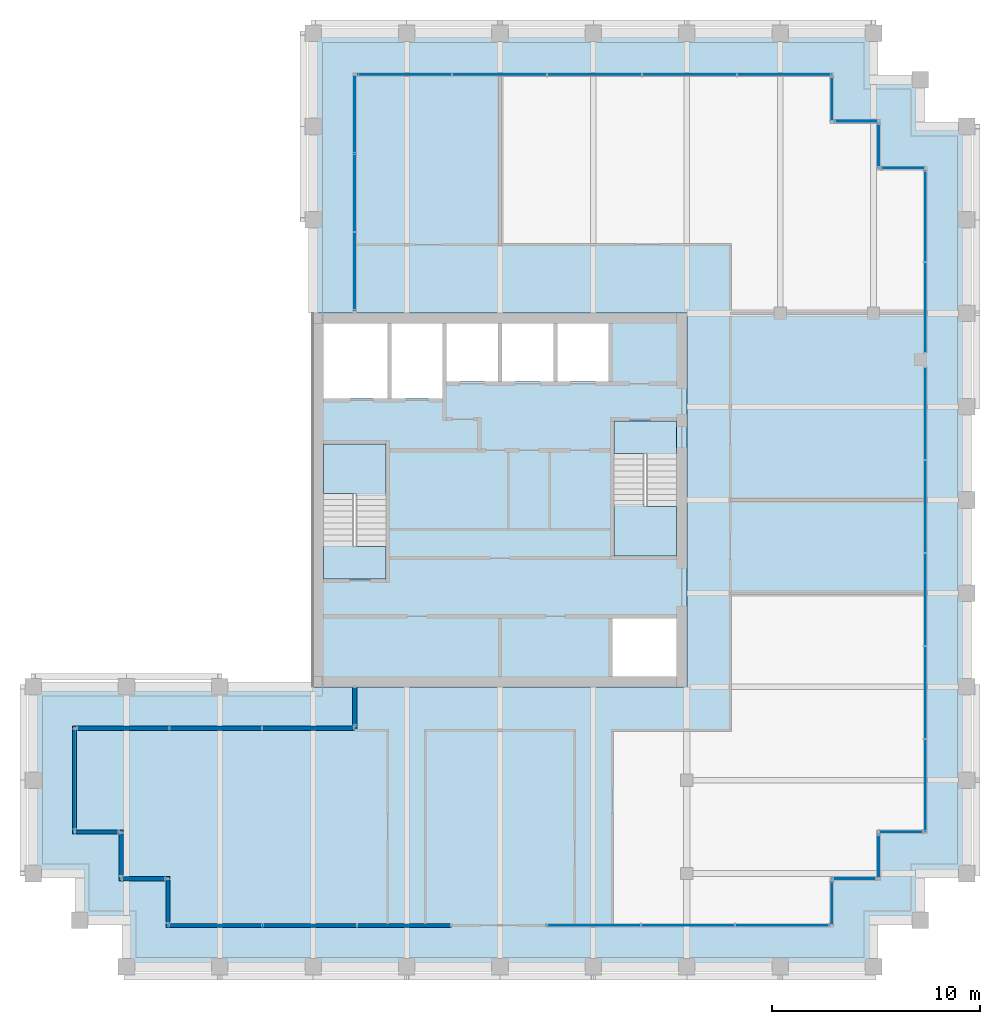
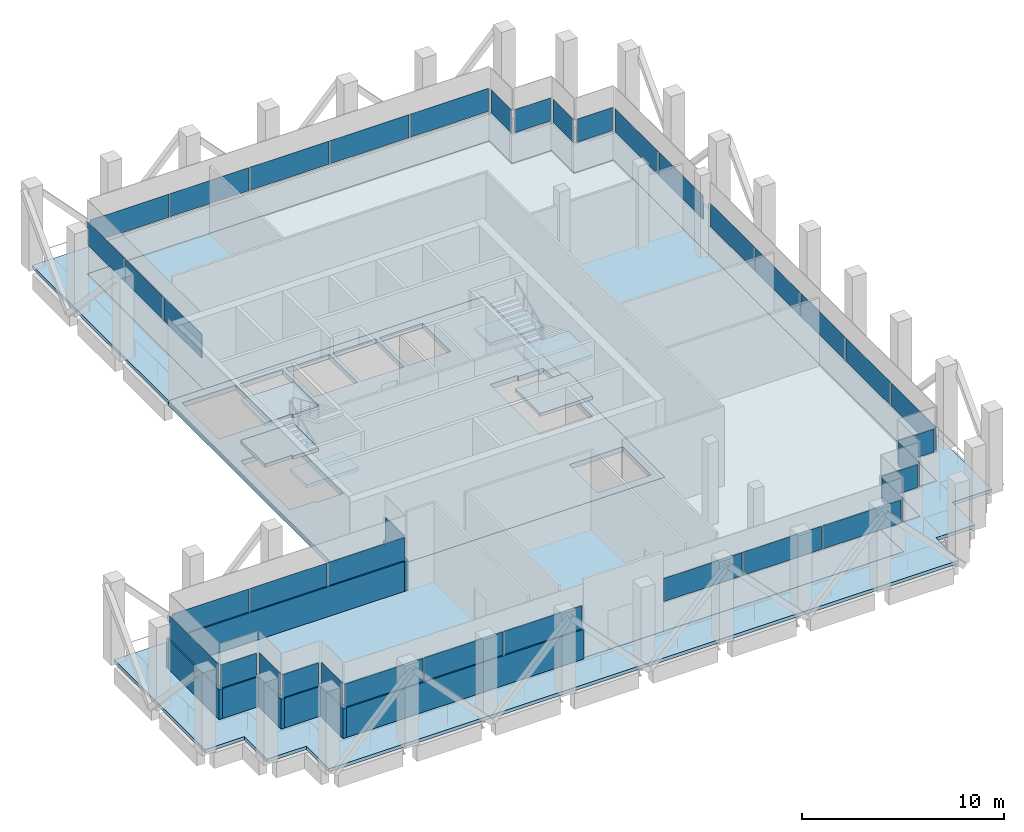
# One storey, part 18 of 21: 38 plates, 9 slabs, 8 walls, 23 elements without a shape of their own.
"""IFC4 building model written with IfcOpenShell, lengths in metres."""

import ifcopenshell
import ifcopenshell.guid

model = None  # the IFC model being written
_history = None  # IfcOwnerHistory: only IFC2X3 demands one
_inside = {}  # id of a spatial element -> (the spatial element, [elements in it])
_under = {}  # id of a project, library or spatial element -> (it, [spatial elements below it])
_declared = {}  # id of a project -> (the project, [libraries it declares])
_typed = {}  # id of a type object -> (the type object, [elements of that type])
_made_of = {}  # id of a material, layer set ... -> (it, [elements and type objects made of it])


def new_model(schema):
    """Start an empty IFC model of exactly this schema.

    Asked for "IFC4X3", IfcOpenShell would pick the latest addendum, in which some entities
    have other attributes; the version numbers below select the first issue.
    IFC2X3 requires an IfcOwnerHistory on every rooted entity: one is made here for all.
    """
    global model, _history
    if schema == "IFC4X3":
        model = ifcopenshell.file(schema_version=(4, 3, 0, 0))
    else:
        model = ifcopenshell.file(schema=schema)
    _inside.clear()
    _under.clear()
    _declared.clear()
    _typed.clear()
    _made_of.clear()
    _history = None
    if model.schema == "IFC2X3":
        org = make("IfcOrganization", Name="unknown")
        user = make(
            "IfcPersonAndOrganization",
            ThePerson=make("IfcPerson", FamilyName="unknown"),
            TheOrganization=org,
        )
        app = make(
            "IfcApplication",
            ApplicationDeveloper=org,
            Version="unknown",
            ApplicationFullName="unknown",
            ApplicationIdentifier="unknown",
        )
        _history = make(
            "IfcOwnerHistory",
            OwningUser=user,
            OwningApplication=app,
            ChangeAction="ADDED",
            CreationDate=0,
        )
    return model


def make(cls, **values):
    """One entity of the class cls with the attributes given. An attribute that is None is left unset."""
    return model.create_entity(
        cls, **{name: value for name, value in values.items() if value is not None}
    )


def rooted(cls, **values):
    """An entity with a GlobalId (a new one), such as an element, a storey or a relation."""
    return make(cls, GlobalId=ifcopenshell.guid.new(), OwnerHistory=_history, **values)


def si_unit(unit_type, name, prefix=None):
    """IfcSIUnit, for example si_unit("LENGTHUNIT", "METRE", prefix="MILLI")."""
    return make("IfcSIUnit", UnitType=unit_type, Prefix=prefix, Name=name)


def assignment(units):
    """IfcUnitAssignment: the units of a project."""
    return None if units is None else make("IfcUnitAssignment", Units=units)


def point(xyz):
    """IfcCartesianPoint."""
    return None if xyz is None else make("IfcCartesianPoint", Coordinates=xyz)


def direction(xyz):
    """IfcDirection."""
    return None if xyz is None else make("IfcDirection", DirectionRatios=xyz)


def frame(location, z_axis=None, x_axis=None):
    """IfcAxis2Placement3D, a coordinate frame: its origin and axes. An axis left out is left unset."""
    return make(
        "IfcAxis2Placement3D",
        Location=point(location),
        Axis=direction(z_axis),
        RefDirection=direction(x_axis),
    )


def frame_2d(location, x_axis=None):
    """IfcAxis2Placement2D, a coordinate frame in the plane: its origin and x axis."""
    return make(
        "IfcAxis2Placement2D", Location=point(location), RefDirection=direction(x_axis)
    )


def origin():
    """The frame at (0, 0, 0) with its axes left unset."""
    return frame((0.0, 0.0, 0.0))


def origin_2d():
    """The frame at (0, 0) in the plane with its x axis left unset."""
    return frame_2d((0.0, 0.0))


def place(relative_to, where):
    """IfcLocalPlacement: puts the frame where relative to a parent placement (None: the world)."""
    return make(
        "IfcLocalPlacement", PlacementRelTo=relative_to, RelativePlacement=where
    )


def context(
    kind, dimensions, precision=None, world=None, true_north=None, identifier=None
):
    """IfcGeometricRepresentationContext, for example the 3D "Model" context."""
    return make(
        "IfcGeometricRepresentationContext",
        ContextIdentifier=identifier,
        ContextType=kind,
        CoordinateSpaceDimension=dimensions,
        Precision=precision,
        WorldCoordinateSystem=world,
        TrueNorth=true_north,
    )


def subcontext(parent, identifier, kind, view, scale=None):
    """IfcGeometricRepresentationSubContext, for example "Body" below "Model"."""
    return make(
        "IfcGeometricRepresentationSubContext",
        ContextIdentifier=identifier,
        ContextType=kind,
        ParentContext=parent,
        TargetScale=scale,
        TargetView=view,
    )


def project(units=None, contexts=None):
    """IfcProject with its units and contexts."""
    return rooted(
        "IfcProject",
        Name="project",
        RepresentationContexts=contexts,
        UnitsInContext=assignment(units),
    )


def spatial(cls, under=None, at=None, **own):
    """A site, building, storey or space (cls), placed at a placement, below another one or the project."""
    s = rooted(cls, ObjectPlacement=at, **own)
    if under is not None:
        _under.setdefault(under.id(), (under, []))[1].append(s)
    return s


def polyline(points):
    """IfcPolyline through the points."""
    return make("IfcPolyline", Points=[point(p) for p in points])


def profile(cls, at=None, kind="AREA", **sizes):
    """A parametric profile (cls). Its sizes go by their IFC names, for example OverallWidth=200.0."""
    return make(cls, ProfileType=kind, Position=at, **sizes)


def rectangle(**sizes):
    """IfcRectangleProfileDef."""
    return profile("IfcRectangleProfileDef", **sizes)


def outline(outer, holes=None, kind="AREA"):
    """IfcArbitraryClosedProfileDef: a profile drawn as a closed curve; with holes, ...WithVoids."""
    if holes is None:
        return make("IfcArbitraryClosedProfileDef", ProfileType=kind, OuterCurve=outer)
    return make(
        "IfcArbitraryProfileDefWithVoids",
        ProfileType=kind,
        OuterCurve=outer,
        InnerCurves=holes,
    )


def extrude(swept, where, along, depth):
    """IfcExtrudedAreaSolid: the profile swept, set in the frame where, extruded along a direction by depth."""
    return make(
        "IfcExtrudedAreaSolid",
        SweptArea=swept,
        Position=where,
        ExtrudedDirection=direction(along),
        Depth=depth,
    )


def shape(context_of_items, identifier, shape_type, items):
    """IfcShapeRepresentation: the items that make up one representation, for example the "Body"."""
    return make(
        "IfcShapeRepresentation",
        ContextOfItems=context_of_items,
        RepresentationIdentifier=identifier,
        RepresentationType=shape_type,
        Items=items,
    )


def material(Name=None, Category=None):
    """IfcMaterial."""
    return make("IfcMaterial", Name=Name, Category=Category)


def layer(
    of_material, thickness, ventilated=None, Name=None, Category=None, Priority=None
):
    """IfcMaterialLayer: one layer of a wall or slab, of a material (None: an air gap)."""
    return make(
        "IfcMaterialLayer",
        Material=of_material,
        LayerThickness=thickness,
        IsVentilated=ventilated,
        Name=Name,
        Category=Category,
        Priority=Priority,
    )


def layer_set(layers, Name=None):
    """IfcMaterialLayerSet."""
    return make("IfcMaterialLayerSet", MaterialLayers=layers, LayerSetName=Name)


def made_of(thing, what):
    """Note that an element or type object is made of a material, layer set ...; save() writes the relation."""
    if what is not None:
        _made_of.setdefault(what.id(), (what, []))[1].append(thing)
    return thing


def type_object(cls, material=None, **own):
    """A type object (cls), such as IfcWallType, which elements share."""
    return made_of(rooted(cls, **own), material)


def element(
    cls,
    number,
    at=None,
    inside=None,
    cuts=None,
    type_object=None,
    material=None,
    context=None,
    identifier="Body",
    shape_type=None,
    held_by="IfcProductDefinitionShape",
    body=None,
    shapes=None,
    **own,
):
    """One element of the class cls, such as IfcWall. Its Tag is "e" and its number.

    at: its placement. inside: the storey or other place that contains it. cuts: it is an
    opening in that element (IfcRelVoidsElement). A single representation is given by context,
    identifier, shape_type and body (its items); several are given by shapes. held_by: the class
    of the entity that holds the representations. save() writes the other relations.
    """
    e = rooted(cls, Tag="e%d" % number, ObjectPlacement=at, **own)
    if body is not None:
        shapes = [shape(context, identifier, shape_type, body)]
    if shapes is not None:
        e.Representation = make(held_by, Representations=shapes)
    if inside is not None:
        _inside.setdefault(inside.id(), (inside, []))[1].append(e)
    if cuts is not None:
        rooted(
            "IfcRelVoidsElement", RelatingBuildingElement=cuts, RelatedOpeningElement=e
        )
    if type_object is not None:
        _typed.setdefault(type_object.id(), (type_object, []))[1].append(e)
    return made_of(e, material)


def aggregate(whole, parts):
    """IfcRelAggregates: a whole, such as a stair, and the parts it consists of."""
    return rooted("IfcRelAggregates", RelatingObject=whole, RelatedObjects=parts)


def save(model, path):
    """Write the relations noted so far, then the file.

    IfcRelAggregates (storeys below a building ...), IfcRelContainedInSpatialStructure (elements
    in a storey), IfcRelDefinesByType, IfcRelAssociatesMaterial and IfcRelDeclares: one each for
    every whole, place, type object, material and project.
    """
    for whole, parts in _under.values():
        aggregate(whole, parts)
    for where, things in _inside.values():
        rooted(
            "IfcRelContainedInSpatialStructure",
            RelatedElements=things,
            RelatingStructure=where,
        )
    for kind, things in _typed.values():
        rooted("IfcRelDefinesByType", RelatedObjects=things, RelatingType=kind)
    for what, things in _made_of.values():
        rooted("IfcRelAssociatesMaterial", RelatedObjects=things, RelatingMaterial=what)
    for by, libraries in _declared.values():
        rooted("IfcRelDeclares", RelatingContext=by, RelatedDefinitions=libraries)
    model.write(path)


model = new_model("IFC4")

# Units and contexts
model_context = context("Model", 3, precision=1e-05, world=origin(), true_north=direction((0.0, 1.0)))
body_context = subcontext(model_context, "Body", "Model", "MODEL_VIEW")
ifc_project = project(units=[si_unit("LENGTHUNIT", "METRE"), si_unit("AREAUNIT", "SQUARE_METRE"), si_unit("VOLUMEUNIT", "CUBIC_METRE"), si_unit("PLANEANGLEUNIT", "RADIAN"), si_unit("MASSUNIT", "GRAM", prefix="KILO")], contexts=[model_context])

# Site, building, storey
site_placement = place(None, origin())
site = spatial("IfcSite", under=ifc_project, at=site_placement, CompositionType="ELEMENT")
building_placement = place(site_placement, origin())
building = spatial("IfcBuilding", under=site, at=building_placement, Name="Altepetl Exchange Towers", CompositionType="ELEMENT")
storey_placement = place(building_placement, frame((0.0, 0.0, 246.0)))
storey = spatial("IfcBuildingStorey", under=building, at=storey_placement, Name="L63 Refuge", CompositionType="ELEMENT", Elevation=246.0)

# Slabs
ifc_material_1 = material(Name="Concrete C40/50", Category="concrete")
ifc_layer_1 = layer(ifc_material_1, 0.199951171875)
ifc_layer_set_1 = layer_set([ifc_layer_1], Name="Concrete C40/50")
slab_type_1 = type_object("IfcSlabType", Name="Composite floor slab 200", PredefinedType="FLOOR", material=ifc_layer_set_1)
slab_1_placement = place(storey_placement, frame((0.0, 0.0, -0.199951171875)))
element("IfcSlab", 1, at=slab_1_placement, inside=storey, type_object=slab_type_1, Name="slab:A:L63:strip0", PredefinedType="FLOOR", context=body_context, shape_type="SweptSolid", body=[
    extrude(outline(polyline([(42.5, 70.0), (42.5, 58.5), (58.5, 58.5), (58.5, 40.5), (42.5, 40.5), (42.5, 38.5), (29.0, 38.5), (29.0, 33.5), (31.25, 33.5), (31.25, 31.25), (33.5, 31.25), (33.5, 29.0), (65.5, 29.0), (65.5, 31.25), (67.75, 31.25), (67.75, 33.5), (70.0, 33.5), (70.0, 65.5), (67.75, 65.5), (67.75, 67.75), (65.5, 67.75), (65.5, 70.0), (42.5, 70.0)])), origin(), (0.0, 0.0, 1.0), 0.199951171875),
])
ifc_layer_2 = layer(ifc_material_1, 0.300048828125)
ifc_layer_set_2 = layer_set([ifc_layer_2], Name="Concrete C40/50")
slab_type_2 = type_object("IfcSlabType", Name="Core floor slab 300", PredefinedType="FLOOR", material=ifc_layer_set_2)
slab_2_placement = place(storey_placement, frame((0.0, 0.0, -0.300048828125)))
element("IfcSlab", 2, at=slab_2_placement, inside=storey, type_object=slab_type_2, Name="slab:A:L63:core0", PredefinedType="FLOOR", context=body_context, shape_type="SweptSolid", body=[
    extrude(outline(polyline([(40.5, 40.5), (58.5, 40.5), (58.5, 58.5), (40.5, 58.5), (40.5, 40.5)]), holes=[polyline([(54.93310546875, 43.800048828125), (58.0, 43.800048828125), (58.0, 41.0), (54.93310546875, 41.0), (54.93310546875, 43.800048828125)]), polyline([(55.0, 51.7490234375), (56.550048828125, 51.7490234375), (56.550048828125, 51.64990234375), (58.0, 51.64990234375), (58.0, 46.800048828125), (55.0, 46.800048828125), (55.0, 51.7490234375)]), polyline([(44.0, 47.2509765625), (42.449951171875, 47.2509765625), (42.449951171875, 47.35009765625), (41.0, 47.35009765625), (41.0, 52.199951171875), (44.0, 52.199951171875), (44.0, 47.2509765625)]), polyline([(41.0, 58.0), (44.06689453125, 58.0), (44.06689453125, 54.39990234375), (41.0, 54.39990234375), (41.0, 58.0)]), polyline([(44.26708984375, 58.0), (46.73291015625, 58.0), (46.73291015625, 54.39990234375), (44.26708984375, 54.39990234375), (44.26708984375, 58.0)]), polyline([(46.93310546875, 58.0), (49.39990234375, 58.0), (49.39990234375, 55.199951171875), (46.93310546875, 55.199951171875), (46.93310546875, 58.0)]), polyline([(49.60009765625, 58.0), (52.06689453125, 58.0), (52.06689453125, 55.199951171875), (49.60009765625, 55.199951171875), (49.60009765625, 58.0)]), polyline([(52.26708984375, 58.0), (54.73291015625, 58.0), (54.73291015625, 55.199951171875), (52.26708984375, 55.199951171875), (52.26708984375, 58.0)])]), origin(), (0.0, 0.0, 1.0), 0.300048828125),
])

# Curtain wall, plate
ifc_material_2 = material(Name="Aluminium 6063-T6 glazing", Category="aluminium")
curtain_wall_type = type_object("IfcCurtainWallType", Name="Refuge slit glazing system", PredefinedType="NOTDEFINED", material=ifc_material_2)
curtain_wall_1_placement = place(storey_placement, origin())
curtain_wall_1 = element("IfcCurtainWall", 3, at=curtain_wall_1_placement, inside=storey, type_object=curtain_wall_type, Name="CW3 run", PredefinedType="NOTDEFINED")
ifc_material_3 = material(Name="Glass 8-20-8 solar control", Category="glass")
ifc_layer_3 = layer(ifc_material_3, 0.035888671875)
ifc_layer_set_3 = layer_set([ifc_layer_3], Name="Glass 8-20-8 solar control")
plate_type = type_object("IfcPlateType", Name="Glass panel 36 double glazed", PredefinedType="CURTAIN_PANEL", material=ifc_layer_set_3)
plate_1_placement = place(storey_placement, frame((42.5, 39.550048828125, 1.800048828125), z_axis=(0.0, 0.0, 1.0), x_axis=(0.0, -1.0, 0.0)))
plate_1 = element("IfcPlate", 4, at=plate_1_placement, type_object=plate_type, Name="GP2 panel", PredefinedType="CURTAIN_PANEL", context=body_context, shape_type="SweptSolid", body=[
    extrude(rectangle(XDim=1.780029296875, YDim=0.035888671875, at=origin_2d()), origin(), (0.0, 0.0, 1.0), 1.39990234375),
])
aggregate(curtain_wall_1, [plate_1])

# Curtain wall, plates
curtain_wall_2_placement = place(storey_placement, origin())
curtain_wall_2 = element("IfcCurtainWall", 5, at=curtain_wall_2_placement, inside=storey, type_object=curtain_wall_type, Name="CW3 run", PredefinedType="NOTDEFINED")
plate_2_placement = place(storey_placement, frame((40.251708984375, 38.5, 1.800048828125), z_axis=(0.0, 0.0, 1.0), x_axis=(-1.0, 0.0, 0.0)))
plate_2 = element("IfcPlate", 6, at=plate_2_placement, type_object=plate_type, Name="GP2 panel", PredefinedType="CURTAIN_PANEL", context=body_context, shape_type="SweptSolid", body=[
    extrude(rectangle(XDim=4.376708984375, YDim=0.035888671875, at=origin_2d()), origin(), (0.0, 0.0, 1.0), 1.39990234375),
])
plate_3_placement = place(storey_placement, frame((35.800048828125, 38.5, 1.800048828125), z_axis=(0.0, 0.0, 1.0), x_axis=(-1.0, 0.0, 0.0)))
plate_3 = element("IfcPlate", 7, at=plate_3_placement, type_object=plate_type, Name="GP2 panel", PredefinedType="CURTAIN_PANEL", context=body_context, shape_type="SweptSolid", body=[
    extrude(rectangle(XDim=4.40673828125, YDim=0.035888671875, at=origin_2d()), origin(), (0.0, 0.0, 1.0), 1.39990234375),
])
plate_4_placement = place(storey_placement, frame((31.348388671875, 38.5, 1.800048828125), z_axis=(0.0, 0.0, 1.0), x_axis=(-1.0, 0.0, 0.0)))
plate_4 = element("IfcPlate", 8, at=plate_4_placement, type_object=plate_type, Name="GP2 panel", PredefinedType="CURTAIN_PANEL", context=body_context, shape_type="SweptSolid", body=[
    extrude(rectangle(XDim=4.376708984375, YDim=0.035888671875, at=origin_2d()), origin(), (0.0, 0.0, 1.0), 1.39990234375),
])
aggregate(curtain_wall_2, [plate_2, plate_3, plate_4])

# Curtain wall, plate
curtain_wall_3_placement = place(storey_placement, origin())
curtain_wall_3 = element("IfcCurtainWall", 9, at=curtain_wall_3_placement, inside=storey, type_object=curtain_wall_type, Name="CW3 run", PredefinedType="NOTDEFINED")
plate_5_placement = place(storey_placement, frame((29.0, 36.050048828125, 1.800048828125), z_axis=(0.0, 0.0, 1.0), x_axis=(0.0, -1.0, 0.0)))
plate_5 = element("IfcPlate", 10, at=plate_5_placement, type_object=plate_type, Name="GP2 panel", PredefinedType="CURTAIN_PANEL", context=body_context, shape_type="SweptSolid", body=[
    extrude(rectangle(XDim=4.780029296875, YDim=0.035888671875, at=origin_2d()), origin(), (0.0, 0.0, 1.0), 1.39990234375),
])
aggregate(curtain_wall_3, [plate_5])

curtain_wall_4_placement = place(storey_placement, origin())
curtain_wall_4 = element("IfcCurtainWall", 11, at=curtain_wall_4_placement, inside=storey, type_object=curtain_wall_type, Name="CW3 run", PredefinedType="NOTDEFINED")
plate_6_placement = place(storey_placement, frame((30.074951171875, 33.5, 1.800048828125)))
plate_6 = element("IfcPlate", 12, at=plate_6_placement, type_object=plate_type, Name="GP2 panel", PredefinedType="CURTAIN_PANEL", context=body_context, shape_type="SweptSolid", body=[
    extrude(rectangle(XDim=2.030029296875, YDim=0.035888671875, at=origin_2d()), origin(), (0.0, 0.0, 1.0), 1.39990234375),
])
aggregate(curtain_wall_4, [plate_6])

curtain_wall_5_placement = place(storey_placement, origin())
curtain_wall_5 = element("IfcCurtainWall", 13, at=curtain_wall_5_placement, inside=storey, type_object=curtain_wall_type, Name="CW3 run", PredefinedType="NOTDEFINED")
plate_7_placement = place(storey_placement, frame((31.25, 32.425048828125, 1.800048828125), z_axis=(0.0, 0.0, 1.0), x_axis=(0.0, -1.0, 0.0)))
plate_7 = element("IfcPlate", 14, at=plate_7_placement, type_object=plate_type, Name="GP2 panel", PredefinedType="CURTAIN_PANEL", context=body_context, shape_type="SweptSolid", body=[
    extrude(rectangle(XDim=2.030029296875, YDim=0.035888671875, at=origin_2d()), origin(), (0.0, 0.0, 1.0), 1.39990234375),
])
aggregate(curtain_wall_5, [plate_7])

curtain_wall_6_placement = place(storey_placement, origin())
curtain_wall_6 = element("IfcCurtainWall", 15, at=curtain_wall_6_placement, inside=storey, type_object=curtain_wall_type, Name="CW3 run", PredefinedType="NOTDEFINED")
plate_8_placement = place(storey_placement, frame((32.324951171875, 31.25, 1.800048828125)))
plate_8 = element("IfcPlate", 16, at=plate_8_placement, type_object=plate_type, Name="GP2 panel", PredefinedType="CURTAIN_PANEL", context=body_context, shape_type="SweptSolid", body=[
    extrude(rectangle(XDim=2.030029296875, YDim=0.035888671875, at=origin_2d()), origin(), (0.0, 0.0, 1.0), 1.39990234375),
])
aggregate(curtain_wall_6, [plate_8])

curtain_wall_7_placement = place(storey_placement, origin())
curtain_wall_7 = element("IfcCurtainWall", 17, at=curtain_wall_7_placement, inside=storey, type_object=curtain_wall_type, Name="CW3 run", PredefinedType="NOTDEFINED")
plate_9_placement = place(storey_placement, frame((33.5, 30.175048828125, 1.800048828125), z_axis=(0.0, 0.0, 1.0), x_axis=(0.0, -1.0, 0.0)))
plate_9 = element("IfcPlate", 18, at=plate_9_placement, type_object=plate_type, Name="GP2 panel", PredefinedType="CURTAIN_PANEL", context=body_context, shape_type="SweptSolid", body=[
    extrude(rectangle(XDim=2.030029296875, YDim=0.035888671875, at=origin_2d()), origin(), (0.0, 0.0, 1.0), 1.39990234375),
])
aggregate(curtain_wall_7, [plate_9])

# Curtain wall, plates
curtain_wall_8_placement = place(storey_placement, origin())
curtain_wall_8 = element("IfcCurtainWall", 19, at=curtain_wall_8_placement, inside=storey, type_object=curtain_wall_type, Name="CW3 run", PredefinedType="NOTDEFINED")
plate_10_placement = place(storey_placement, frame((35.79345703125, 29.0, 1.800048828125)))
plate_10 = element("IfcPlate", 20, at=plate_10_placement, type_object=plate_type, Name="GP2 panel", PredefinedType="CURTAIN_PANEL", context=body_context, shape_type="SweptSolid", body=[
    extrude(rectangle(XDim=4.467041015625, YDim=0.035888671875, at=origin_2d()), origin(), (0.0, 0.0, 1.0), 1.39990234375),
])
plate_11_placement = place(storey_placement, frame((40.335693359375, 29.0, 1.800048828125)))
plate_11 = element("IfcPlate", 21, at=plate_11_placement, type_object=plate_type, Name="GP2 panel", PredefinedType="CURTAIN_PANEL", context=body_context, shape_type="SweptSolid", body=[
    extrude(rectangle(XDim=4.4970703125, YDim=0.035888671875, at=origin_2d()), origin(), (0.0, 0.0, 1.0), 1.39990234375),
])
plate_12_placement = place(storey_placement, frame((44.8779296875, 29.0, 1.800048828125)))
plate_12 = element("IfcPlate", 22, at=plate_12_placement, type_object=plate_type, Name="GP2 panel", PredefinedType="CURTAIN_PANEL", context=body_context, shape_type="SweptSolid", body=[
    extrude(rectangle(XDim=4.467041015625, YDim=0.035888671875, at=origin_2d()), origin(), (0.0, 0.0, 1.0), 1.39990234375),
])
aggregate(curtain_wall_8, [plate_10, plate_11, plate_12])

curtain_wall_9_placement = place(storey_placement, origin())
curtain_wall_9 = element("IfcCurtainWall", 23, at=curtain_wall_9_placement, inside=storey, type_object=curtain_wall_type, Name="CW3 run", PredefinedType="NOTDEFINED")
plate_13_placement = place(storey_placement, frame((54.022216796875, 29.0, 1.800048828125)))
plate_13 = element("IfcPlate", 24, at=plate_13_placement, type_object=plate_type, Name="GP2 panel", PredefinedType="CURTAIN_PANEL", context=body_context, shape_type="SweptSolid", body=[
    extrude(rectangle(XDim=4.467041015625, YDim=0.035888671875, at=origin_2d()), origin(), (0.0, 0.0, 1.0), 1.39990234375),
])
plate_14_placement = place(storey_placement, frame((58.564208984375, 29.0, 1.800048828125)))
plate_14 = element("IfcPlate", 25, at=plate_14_placement, type_object=plate_type, Name="GP2 panel", PredefinedType="CURTAIN_PANEL", context=body_context, shape_type="SweptSolid", body=[
    extrude(rectangle(XDim=4.4970703125, YDim=0.035888671875, at=origin_2d()), origin(), (0.0, 0.0, 1.0), 1.39990234375),
])
plate_15_placement = place(storey_placement, frame((63.1064453125, 29.0, 1.800048828125)))
plate_15 = element("IfcPlate", 26, at=plate_15_placement, type_object=plate_type, Name="GP2 panel", PredefinedType="CURTAIN_PANEL", context=body_context, shape_type="SweptSolid", body=[
    extrude(rectangle(XDim=4.467041015625, YDim=0.035888671875, at=origin_2d()), origin(), (0.0, 0.0, 1.0), 1.39990234375),
])
aggregate(curtain_wall_9, [plate_13, plate_14, plate_15])

# Curtain wall, plate
curtain_wall_10_placement = place(storey_placement, origin())
curtain_wall_10 = element("IfcCurtainWall", 27, at=curtain_wall_10_placement, inside=storey, type_object=curtain_wall_type, Name="CW3 run", PredefinedType="NOTDEFINED")
plate_16_placement = place(storey_placement, frame((65.5, 30.074951171875, 1.800048828125), z_axis=(0.0, 0.0, 1.0), x_axis=(0.0, 1.0, 0.0)))
plate_16 = element("IfcPlate", 28, at=plate_16_placement, type_object=plate_type, Name="GP2 panel", PredefinedType="CURTAIN_PANEL", context=body_context, shape_type="SweptSolid", body=[
    extrude(rectangle(XDim=2.030029296875, YDim=0.035888671875, at=origin_2d()), origin(), (0.0, 0.0, 1.0), 1.39990234375),
])
aggregate(curtain_wall_10, [plate_16])

curtain_wall_11_placement = place(storey_placement, origin())
curtain_wall_11 = element("IfcCurtainWall", 29, at=curtain_wall_11_placement, inside=storey, type_object=curtain_wall_type, Name="CW3 run", PredefinedType="NOTDEFINED")
plate_17_placement = place(storey_placement, frame((66.574951171875, 31.25, 1.800048828125)))
plate_17 = element("IfcPlate", 30, at=plate_17_placement, type_object=plate_type, Name="GP2 panel", PredefinedType="CURTAIN_PANEL", context=body_context, shape_type="SweptSolid", body=[
    extrude(rectangle(XDim=2.030029296875, YDim=0.035888671875, at=origin_2d()), origin(), (0.0, 0.0, 1.0), 1.39990234375),
])
aggregate(curtain_wall_11, [plate_17])

curtain_wall_12_placement = place(storey_placement, origin())
curtain_wall_12 = element("IfcCurtainWall", 31, at=curtain_wall_12_placement, inside=storey, type_object=curtain_wall_type, Name="CW3 run", PredefinedType="NOTDEFINED")
plate_18_placement = place(storey_placement, frame((67.75, 32.324951171875, 1.800048828125), z_axis=(0.0, 0.0, 1.0), x_axis=(0.0, 1.0, 0.0)))
plate_18 = element("IfcPlate", 32, at=plate_18_placement, type_object=plate_type, Name="GP2 panel", PredefinedType="CURTAIN_PANEL", context=body_context, shape_type="SweptSolid", body=[
    extrude(rectangle(XDim=2.030029296875, YDim=0.035888671875, at=origin_2d()), origin(), (0.0, 0.0, 1.0), 1.39990234375),
])
aggregate(curtain_wall_12, [plate_18])

curtain_wall_13_placement = place(storey_placement, origin())
curtain_wall_13 = element("IfcCurtainWall", 33, at=curtain_wall_13_placement, inside=storey, type_object=curtain_wall_type, Name="CW3 run", PredefinedType="NOTDEFINED")
plate_19_placement = place(storey_placement, frame((68.824951171875, 33.5, 1.800048828125)))
plate_19 = element("IfcPlate", 34, at=plate_19_placement, type_object=plate_type, Name="GP2 panel", PredefinedType="CURTAIN_PANEL", context=body_context, shape_type="SweptSolid", body=[
    extrude(rectangle(XDim=2.030029296875, YDim=0.035888671875, at=origin_2d()), origin(), (0.0, 0.0, 1.0), 1.39990234375),
])
aggregate(curtain_wall_13, [plate_19])

# Curtain wall, plates
curtain_wall_14_placement = place(storey_placement, origin())
curtain_wall_14 = element("IfcCurtainWall", 35, at=curtain_wall_14_placement, inside=storey, type_object=curtain_wall_type, Name="CW3 run", PredefinedType="NOTDEFINED")
plate_20_placement = place(storey_placement, frame((70.0, 35.758056640625, 1.800048828125), z_axis=(0.0, 0.0, 1.0), x_axis=(0.0, 1.0, 0.0)))
plate_20 = element("IfcPlate", 36, at=plate_20_placement, type_object=plate_type, Name="GP2 panel", PredefinedType="CURTAIN_PANEL", context=body_context, shape_type="SweptSolid", body=[
    extrude(rectangle(XDim=4.39599609375, YDim=0.035888671875, at=origin_2d()), origin(), (0.0, 0.0, 1.0), 1.39990234375),
])
plate_21_placement = place(storey_placement, frame((70.0, 40.22900390625, 1.800048828125), z_axis=(0.0, 0.0, 1.0), x_axis=(0.0, 1.0, 0.0)))
plate_21 = element("IfcPlate", 37, at=plate_21_placement, type_object=plate_type, Name="GP2 panel", PredefinedType="CURTAIN_PANEL", context=body_context, shape_type="SweptSolid", body=[
    extrude(rectangle(XDim=4.426025390625, YDim=0.035888671875, at=origin_2d()), origin(), (0.0, 0.0, 1.0), 1.39990234375),
])
plate_22_placement = place(storey_placement, frame((70.0, 44.715087890625, 1.800048828125), z_axis=(0.0, 0.0, 1.0), x_axis=(0.0, 1.0, 0.0)))
plate_22 = element("IfcPlate", 38, at=plate_22_placement, type_object=plate_type, Name="GP2 panel", PredefinedType="CURTAIN_PANEL", context=body_context, shape_type="SweptSolid", body=[
    extrude(rectangle(XDim=4.426025390625, YDim=0.035888671875, at=origin_2d()), origin(), (0.0, 0.0, 1.0), 1.39990234375),
])
plate_23_placement = place(storey_placement, frame((70.0, 49.200927734375, 1.800048828125), z_axis=(0.0, 0.0, 1.0), x_axis=(0.0, 1.0, 0.0)))
plate_23 = element("IfcPlate", 39, at=plate_23_placement, type_object=plate_type, Name="GP2 panel", PredefinedType="CURTAIN_PANEL", context=body_context, shape_type="SweptSolid", body=[
    extrude(rectangle(XDim=4.426025390625, YDim=0.035888671875, at=origin_2d()), origin(), (0.0, 0.0, 1.0), 1.39990234375),
])
plate_24_placement = place(storey_placement, frame((70.0, 53.672119140625, 1.800048828125), z_axis=(0.0, 0.0, 1.0), x_axis=(0.0, 1.0, 0.0)))
plate_24 = element("IfcPlate", 40, at=plate_24_placement, type_object=plate_type, Name="GP2 panel", PredefinedType="CURTAIN_PANEL", context=body_context, shape_type="SweptSolid", body=[
    extrude(rectangle(XDim=4.39599609375, YDim=0.035888671875, at=origin_2d()), origin(), (0.0, 0.0, 1.0), 1.39990234375),
])
aggregate(curtain_wall_14, [plate_20, plate_21, plate_22, plate_23, plate_24])

curtain_wall_15_placement = place(storey_placement, origin())
curtain_wall_15 = element("IfcCurtainWall", 41, at=curtain_wall_15_placement, inside=storey, type_object=curtain_wall_type, Name="CW3 run", PredefinedType="NOTDEFINED")
plate_25_placement = place(storey_placement, frame((70.0, 58.79248046875, 1.800048828125), z_axis=(0.0, 0.0, 1.0), x_axis=(0.0, 1.0, 0.0)))
plate_25 = element("IfcPlate", 42, at=plate_25_placement, type_object=plate_type, Name="GP2 panel", PredefinedType="CURTAIN_PANEL", context=body_context, shape_type="SweptSolid", body=[
    extrude(rectangle(XDim=4.324951171875, YDim=0.035888671875, at=origin_2d()), origin(), (0.0, 0.0, 1.0), 1.39990234375),
])
plate_26_placement = place(storey_placement, frame((70.0, 63.177490234375, 1.800048828125), z_axis=(0.0, 0.0, 1.0), x_axis=(0.0, 1.0, 0.0)))
plate_26 = element("IfcPlate", 43, at=plate_26_placement, type_object=plate_type, Name="GP2 panel", PredefinedType="CURTAIN_PANEL", context=body_context, shape_type="SweptSolid", body=[
    extrude(rectangle(XDim=4.324951171875, YDim=0.035888671875, at=origin_2d()), origin(), (0.0, 0.0, 1.0), 1.39990234375),
])
aggregate(curtain_wall_15, [plate_25, plate_26])

# Curtain wall, plate
curtain_wall_16_placement = place(storey_placement, origin())
curtain_wall_16 = element("IfcCurtainWall", 44, at=curtain_wall_16_placement, inside=storey, type_object=curtain_wall_type, Name="CW3 run", PredefinedType="NOTDEFINED")
plate_27_placement = place(storey_placement, frame((68.925048828125, 65.5, 1.800048828125), z_axis=(0.0, 0.0, 1.0), x_axis=(-1.0, 0.0, 0.0)))
plate_27 = element("IfcPlate", 45, at=plate_27_placement, type_object=plate_type, Name="GP2 panel", PredefinedType="CURTAIN_PANEL", context=body_context, shape_type="SweptSolid", body=[
    extrude(rectangle(XDim=2.030029296875, YDim=0.035888671875, at=origin_2d()), origin(), (0.0, 0.0, 1.0), 1.39990234375),
])
aggregate(curtain_wall_16, [plate_27])

curtain_wall_17_placement = place(storey_placement, origin())
curtain_wall_17 = element("IfcCurtainWall", 46, at=curtain_wall_17_placement, inside=storey, type_object=curtain_wall_type, Name="CW3 run", PredefinedType="NOTDEFINED")
plate_28_placement = place(storey_placement, frame((67.75, 66.574951171875, 1.800048828125), z_axis=(0.0, 0.0, 1.0), x_axis=(0.0, 1.0, 0.0)))
plate_28 = element("IfcPlate", 47, at=plate_28_placement, type_object=plate_type, Name="GP2 panel", PredefinedType="CURTAIN_PANEL", context=body_context, shape_type="SweptSolid", body=[
    extrude(rectangle(XDim=2.030029296875, YDim=0.035888671875, at=origin_2d()), origin(), (0.0, 0.0, 1.0), 1.39990234375),
])
aggregate(curtain_wall_17, [plate_28])

curtain_wall_18_placement = place(storey_placement, origin())
curtain_wall_18 = element("IfcCurtainWall", 48, at=curtain_wall_18_placement, inside=storey, type_object=curtain_wall_type, Name="CW3 run", PredefinedType="NOTDEFINED")
plate_29_placement = place(storey_placement, frame((66.675048828125, 67.75, 1.800048828125), z_axis=(0.0, 0.0, 1.0), x_axis=(-1.0, 0.0, 0.0)))
plate_29 = element("IfcPlate", 49, at=plate_29_placement, type_object=plate_type, Name="GP2 panel", PredefinedType="CURTAIN_PANEL", context=body_context, shape_type="SweptSolid", body=[
    extrude(rectangle(XDim=2.030029296875, YDim=0.035888671875, at=origin_2d()), origin(), (0.0, 0.0, 1.0), 1.39990234375),
])
aggregate(curtain_wall_18, [plate_29])

curtain_wall_19_placement = place(storey_placement, origin())
curtain_wall_19 = element("IfcCurtainWall", 50, at=curtain_wall_19_placement, inside=storey, type_object=curtain_wall_type, Name="CW3 run", PredefinedType="NOTDEFINED")
plate_30_placement = place(storey_placement, frame((65.5, 68.824951171875, 1.800048828125), z_axis=(0.0, 0.0, 1.0), x_axis=(0.0, 1.0, 0.0)))
plate_30 = element("IfcPlate", 51, at=plate_30_placement, type_object=plate_type, Name="GP2 panel", PredefinedType="CURTAIN_PANEL", context=body_context, shape_type="SweptSolid", body=[
    extrude(rectangle(XDim=2.030029296875, YDim=0.035888671875, at=origin_2d()), origin(), (0.0, 0.0, 1.0), 1.39990234375),
])
aggregate(curtain_wall_19, [plate_30])

# Curtain wall, plates
curtain_wall_20_placement = place(storey_placement, origin())
curtain_wall_20 = element("IfcCurtainWall", 52, at=curtain_wall_20_placement, inside=storey, type_object=curtain_wall_type, Name="CW3 run", PredefinedType="NOTDEFINED")
plate_31_placement = place(storey_placement, frame((63.195068359375, 70.0, 1.800048828125), z_axis=(0.0, 0.0, 1.0), x_axis=(-1.0, 0.0, 0.0)))
plate_31 = element("IfcPlate", 53, at=plate_31_placement, type_object=plate_type, Name="GP2 panel", PredefinedType="CURTAIN_PANEL", context=body_context, shape_type="SweptSolid", body=[
    extrude(rectangle(XDim=4.489990234375, YDim=0.035888671875, at=origin_2d()), origin(), (0.0, 0.0, 1.0), 1.39990234375),
])
plate_32_placement = place(storey_placement, frame((58.6298828125, 70.0, 1.800048828125), z_axis=(0.0, 0.0, 1.0), x_axis=(-1.0, 0.0, 0.0)))
plate_32 = element("IfcPlate", 54, at=plate_32_placement, type_object=plate_type, Name="GP2 panel", PredefinedType="CURTAIN_PANEL", context=body_context, shape_type="SweptSolid", body=[
    extrude(rectangle(XDim=4.52001953125, YDim=0.035888671875, at=origin_2d()), origin(), (0.0, 0.0, 1.0), 1.39990234375),
])
plate_33_placement = place(storey_placement, frame((54.050048828125, 70.0, 1.800048828125), z_axis=(0.0, 0.0, 1.0), x_axis=(-1.0, 0.0, 0.0)))
plate_33 = element("IfcPlate", 55, at=plate_33_placement, type_object=plate_type, Name="GP2 panel", PredefinedType="CURTAIN_PANEL", context=body_context, shape_type="SweptSolid", body=[
    extrude(rectangle(XDim=4.52001953125, YDim=0.035888671875, at=origin_2d()), origin(), (0.0, 0.0, 1.0), 1.39990234375),
])
plate_34_placement = place(storey_placement, frame((49.469970703125, 70.0, 1.800048828125), z_axis=(0.0, 0.0, 1.0), x_axis=(-1.0, 0.0, 0.0)))
plate_34 = element("IfcPlate", 56, at=plate_34_placement, type_object=plate_type, Name="GP2 panel", PredefinedType="CURTAIN_PANEL", context=body_context, shape_type="SweptSolid", body=[
    extrude(rectangle(XDim=4.52001953125, YDim=0.035888671875, at=origin_2d()), origin(), (0.0, 0.0, 1.0), 1.39990234375),
])
plate_35_placement = place(storey_placement, frame((44.905029296875, 70.0, 1.800048828125), z_axis=(0.0, 0.0, 1.0), x_axis=(-1.0, 0.0, 0.0)))
plate_35 = element("IfcPlate", 57, at=plate_35_placement, type_object=plate_type, Name="GP2 panel", PredefinedType="CURTAIN_PANEL", context=body_context, shape_type="SweptSolid", body=[
    extrude(rectangle(XDim=4.489990234375, YDim=0.035888671875, at=origin_2d()), origin(), (0.0, 0.0, 1.0), 1.39990234375),
])
aggregate(curtain_wall_20, [plate_31, plate_32, plate_33, plate_34, plate_35])

curtain_wall_21_placement = place(storey_placement, origin())
curtain_wall_21 = element("IfcCurtainWall", 58, at=curtain_wall_21_placement, inside=storey, type_object=curtain_wall_type, Name="CW3 run", PredefinedType="NOTDEFINED")
plate_36_placement = place(storey_placement, frame((42.5, 68.0849609375, 1.800048828125), z_axis=(0.0, 0.0, 1.0), x_axis=(0.0, -1.0, 0.0)))
plate_36 = element("IfcPlate", 59, at=plate_36_placement, type_object=plate_type, Name="GP2 panel", PredefinedType="CURTAIN_PANEL", context=body_context, shape_type="SweptSolid", body=[
    extrude(rectangle(XDim=3.7099609375, YDim=0.035888671875, at=origin_2d()), origin(), (0.0, 0.0, 1.0), 1.39990234375),
])
plate_37_placement = place(storey_placement, frame((42.5, 64.300048828125, 1.800048828125), z_axis=(0.0, 0.0, 1.0), x_axis=(0.0, -1.0, 0.0)))
plate_37 = element("IfcPlate", 60, at=plate_37_placement, type_object=plate_type, Name="GP2 panel", PredefinedType="CURTAIN_PANEL", context=body_context, shape_type="SweptSolid", body=[
    extrude(rectangle(XDim=3.739990234375, YDim=0.035888671875, at=origin_2d()), origin(), (0.0, 0.0, 1.0), 1.39990234375),
])
plate_38_placement = place(storey_placement, frame((42.5, 60.514892578125, 1.800048828125), z_axis=(0.0, 0.0, 1.0), x_axis=(0.0, -1.0, 0.0)))
plate_38 = element("IfcPlate", 61, at=plate_38_placement, type_object=plate_type, Name="GP2 panel", PredefinedType="CURTAIN_PANEL", context=body_context, shape_type="SweptSolid", body=[
    extrude(rectangle(XDim=3.7099609375, YDim=0.035888671875, at=origin_2d()), origin(), (0.0, 0.0, 1.0), 1.39990234375),
])
aggregate(curtain_wall_21, [plate_36, plate_37, plate_38])

# Slab
ifc_layer_4 = layer(ifc_material_1, 0.199951171875)
ifc_layer_set_4 = layer_set([ifc_layer_4], Name="Concrete C40/50")
slab_type_3 = type_object("IfcSlabType", Name="Loggia slab 200", PredefinedType="FLOOR", material=ifc_layer_set_4)
slab_3_placement = place(storey_placement, frame((0.0, 0.0, -0.199951171875)))
element("IfcSlab", 62, at=slab_3_placement, inside=storey, type_object=slab_type_3, Name="slab:A:L63:loggia0", PredefinedType="FLOOR", context=body_context, shape_type="SweptSolid", body=[
    extrude(outline(polyline([(40.5, 72.0), (40.5, 58.5), (42.5, 58.5), (42.5, 70.0), (65.5, 70.0), (65.5, 67.75), (67.75, 67.75), (67.75, 65.5), (70.0, 65.5), (70.0, 33.5), (67.75, 33.5), (67.75, 31.25), (65.5, 31.25), (65.5, 29.0), (33.5, 29.0), (33.5, 31.25), (31.25, 31.25), (31.25, 33.5), (29.0, 33.5), (29.0, 38.5), (42.5, 38.5), (42.5, 40.5), (40.5, 40.5), (27.0, 40.5), (27.0, 31.5), (29.25, 31.5), (29.25, 29.25), (31.5, 29.25), (31.5, 27.0), (58.5, 27.0), (67.5, 27.0), (67.5, 29.25), (69.75, 29.25), (69.75, 31.5), (72.0, 31.5), (72.0, 58.5), (72.0, 67.5), (69.75, 67.5), (69.75, 69.75), (67.5, 69.75), (67.5, 72.0), (40.5, 72.0)])), origin(), (0.0, 0.0, 1.0), 0.199951171875),
])

# Stair, slabs
stair_type = type_object("IfcStairType", Name="Exit stair 1450 flights dogleg", PredefinedType="HALF_TURN_STAIR", material=ifc_material_1)
stair_1_placement = place(storey_placement, origin())
stair_1 = element("IfcStair", 63, at=stair_1_placement, inside=storey, type_object=stair_type, Name="Exit stair 1", PredefinedType="HALF_TURN_STAIR")
ifc_layer_5 = layer(ifc_material_1, 0.199951171875)
ifc_layer_set_5 = layer_set([ifc_layer_5], Name="Concrete C40/50")
slab_type_4 = type_object("IfcSlabType", Name="Stair landing 200 reinforced concrete", PredefinedType="LANDING", material=ifc_layer_set_5)
slab_4_placement = place(storey_placement, frame((0.0, 0.0, 1.050048828125)))
slab_4 = element("IfcSlab", 64, at=slab_4_placement, type_object=slab_type_4, Name="ST-A1f landing 1", PredefinedType="LANDING", context=body_context, shape_type="SweptSolid", body=[
    extrude(outline(polyline([(44.0, 49.715087890625), (42.550048828125, 49.715087890625), (42.550048828125, 49.81494140625), (42.449951171875, 49.81494140625), (42.449951171875, 49.814208984375), (41.0, 49.814208984375), (41.0, 49.81494140625), (41.0, 52.199951171875), (44.0, 52.199951171875), (44.0, 49.81494140625), (44.0, 49.715087890625)])), origin(), (0.0, 0.0, 1.0), 0.199951171875),
])
slab_5_placement = place(storey_placement, frame((0.0, 0.0, 2.300048828125)))
slab_5 = element("IfcSlab", 65, at=slab_5_placement, type_object=slab_type_4, Name="ST-A1f landing 2", PredefinedType="LANDING", context=body_context, shape_type="SweptSolid", body=[
    extrude(outline(polyline([(44.0, 45.699951171875), (41.0, 45.699951171875), (41.0, 47.25), (41.0, 47.35009765625), (42.449951171875, 47.35009765625), (42.449951171875, 47.25), (42.550048828125, 47.25), (42.550048828125, 47.250732421875), (44.0, 47.250732421875), (44.0, 47.25), (44.0, 45.699951171875)])), origin(), (0.0, 0.0, 1.0), 0.199951171875),
])
slab_6_placement = place(storey_placement, frame((0.0, 0.0, 3.550048828125)))
slab_6 = element("IfcSlab", 66, at=slab_6_placement, type_object=slab_type_4, Name="ST-A1f landing 3", PredefinedType="LANDING", context=body_context, shape_type="SweptSolid", body=[
    extrude(outline(polyline([(44.0, 49.715087890625), (42.550048828125, 49.715087890625), (42.550048828125, 49.81494140625), (42.449951171875, 49.81494140625), (42.449951171875, 49.814208984375), (41.0, 49.814208984375), (41.0, 49.81494140625), (41.0, 52.199951171875), (44.0, 52.199951171875), (44.0, 49.81494140625), (44.0, 49.715087890625)])), origin(), (0.0, 0.0, 1.0), 0.199951171875),
])
aggregate(stair_1, [slab_4, slab_5, slab_6])

stair_2_placement = place(storey_placement, origin())
stair_2 = element("IfcStair", 67, at=stair_2_placement, inside=storey, type_object=stair_type, Name="Exit stair 2", PredefinedType="HALF_TURN_STAIR")
slab_7_placement = place(storey_placement, frame((0.0, 0.0, 1.050048828125)))
slab_7 = element("IfcSlab", 68, at=slab_7_placement, type_object=slab_type_4, Name="ST-A2f landing 1", PredefinedType="LANDING", context=body_context, shape_type="SweptSolid", body=[
    extrude(outline(polyline([(58.0, 46.800048828125), (55.0, 46.800048828125), (55.0, 49.18505859375), (55.0, 49.284912109375), (56.449951171875, 49.284912109375), (56.449951171875, 49.18505859375), (56.550048828125, 49.18505859375), (56.550048828125, 49.185791015625), (58.0, 49.185791015625), (58.0, 49.18505859375), (58.0, 46.800048828125)])), origin(), (0.0, 0.0, 1.0), 0.199951171875),
])
slab_8_placement = place(storey_placement, frame((0.0, 0.0, 2.300048828125)))
slab_8 = element("IfcSlab", 69, at=slab_8_placement, type_object=slab_type_4, Name="ST-A2f landing 2", PredefinedType="LANDING", context=body_context, shape_type="SweptSolid", body=[
    extrude(outline(polyline([(58.0, 51.64990234375), (56.550048828125, 51.64990234375), (56.550048828125, 51.75), (56.449951171875, 51.75), (56.449951171875, 51.749267578125), (55.0, 51.749267578125), (55.0, 51.75), (55.0, 53.300048828125), (58.0, 53.300048828125), (58.0, 51.75), (58.0, 51.64990234375)])), origin(), (0.0, 0.0, 1.0), 0.199951171875),
])
slab_9_placement = place(storey_placement, frame((0.0, 0.0, 3.550048828125)))
slab_9 = element("IfcSlab", 70, at=slab_9_placement, type_object=slab_type_4, Name="ST-A2f landing 3", PredefinedType="LANDING", context=body_context, shape_type="SweptSolid", body=[
    extrude(outline(polyline([(58.0, 46.800048828125), (55.0, 46.800048828125), (55.0, 49.18505859375), (55.0, 49.284912109375), (56.449951171875, 49.284912109375), (56.449951171875, 49.18505859375), (56.550048828125, 49.18505859375), (56.550048828125, 49.185791015625), (58.0, 49.185791015625), (58.0, 49.18505859375), (58.0, 46.800048828125)])), origin(), (0.0, 0.0, 1.0), 0.199951171875),
])
aggregate(stair_2, [slab_7, slab_8, slab_9])

# Walls
ifc_material_4 = material(Name="Cantera limestone cladding", Category="masonry")
ifc_layer_6 = layer(ifc_material_4, 0.199951171875)
ifc_layer_set_6 = layer_set([ifc_layer_6], Name="Cantera limestone cladding")
wall_type = type_object("IfcWallType", Name="Refuge stone wall 200", PredefinedType="ELEMENTEDWALL", material=ifc_layer_set_6)
wall_1_placement = place(storey_placement, frame((42.5, 40.5, 0.0), z_axis=(0.0, 0.0, 1.0), x_axis=(0.0, -1.0, 0.0)))
element("IfcWall", 71, at=wall_1_placement, inside=storey, type_object=wall_type, Name="Refuge stone wall", PredefinedType="ELEMENTEDWALL", context=body_context, shape_type="SweptSolid", body=[
    extrude(rectangle(XDim=2.10009765625, YDim=0.199951171875, at=frame_2d((1.050048828125, 0.0))), origin(), (0.0, 0.0, 1.0), 1.800048828125),
])
wall_2_placement = place(storey_placement, frame((42.39990234375, 38.5, 0.0), z_axis=(0.0, 0.0, 1.0), x_axis=(-1.0, 0.0, 0.0)))
element("IfcWall", 72, at=wall_2_placement, inside=storey, type_object=wall_type, Name="Refuge stone wall", PredefinedType="ELEMENTEDWALL", context=body_context, shape_type="SweptSolid", body=[
    extrude(rectangle(XDim=13.5, YDim=0.199951171875, at=frame_2d((6.75, 0.0))), origin(), (0.0, 0.0, 1.0), 1.800048828125),
])
wall_3_placement = place(storey_placement, frame((29.0, 38.39990234375, 0.0), z_axis=(0.0, 0.0, 1.0), x_axis=(0.0, -1.0, 0.0)))
element("IfcWall", 73, at=wall_3_placement, inside=storey, type_object=wall_type, Name="Refuge stone wall", PredefinedType="ELEMENTEDWALL", context=body_context, shape_type="SweptSolid", body=[
    extrude(rectangle(XDim=5.0, YDim=0.199951171875, at=frame_2d((2.5, 0.0))), origin(), (0.0, 0.0, 1.0), 1.800048828125),
])
wall_4_placement = place(storey_placement, frame((29.10009765625, 33.5, 0.0)))
element("IfcWall", 74, at=wall_4_placement, inside=storey, type_object=wall_type, Name="Refuge stone wall", PredefinedType="ELEMENTEDWALL", context=body_context, shape_type="SweptSolid", body=[
    extrude(rectangle(XDim=2.25, YDim=0.199951171875, at=frame_2d((1.125, 0.0))), origin(), (0.0, 0.0, 1.0), 1.800048828125),
])
wall_5_placement = place(storey_placement, frame((31.25, 33.39990234375, 0.0), z_axis=(0.0, 0.0, 1.0), x_axis=(0.0, -1.0, 0.0)))
element("IfcWall", 75, at=wall_5_placement, inside=storey, type_object=wall_type, Name="Refuge stone wall", PredefinedType="ELEMENTEDWALL", context=body_context, shape_type="SweptSolid", body=[
    extrude(rectangle(XDim=2.25, YDim=0.199951171875, at=frame_2d((1.125, 0.0))), origin(), (0.0, 0.0, 1.0), 1.800048828125),
])
wall_6_placement = place(storey_placement, frame((31.35009765625, 31.25, 0.0)))
element("IfcWall", 76, at=wall_6_placement, inside=storey, type_object=wall_type, Name="Refuge stone wall", PredefinedType="ELEMENTEDWALL", context=body_context, shape_type="SweptSolid", body=[
    extrude(rectangle(XDim=2.25, YDim=0.199951171875, at=frame_2d((1.125, 0.0))), origin(), (0.0, 0.0, 1.0), 1.800048828125),
])
wall_7_placement = place(storey_placement, frame((33.5, 31.14990234375, 0.0), z_axis=(0.0, 0.0, 1.0), x_axis=(0.0, -1.0, 0.0)))
element("IfcWall", 77, at=wall_7_placement, inside=storey, type_object=wall_type, Name="Refuge stone wall", PredefinedType="ELEMENTEDWALL", context=body_context, shape_type="SweptSolid", body=[
    extrude(rectangle(XDim=2.25, YDim=0.199951171875, at=frame_2d((1.125, 0.0))), origin(), (0.0, 0.0, 1.0), 1.800048828125),
])
wall_8_placement = place(storey_placement, frame((33.60009765625, 29.0, 0.0)))
element("IfcWall", 78, at=wall_8_placement, inside=storey, type_object=wall_type, Name="Refuge stone wall", PredefinedType="ELEMENTEDWALL", context=body_context, shape_type="SweptSolid", body=[
    extrude(rectangle(XDim=13.5712890625, YDim=0.199951171875, at=frame_2d((6.78564453125, 0.0))), origin(), (0.0, 0.0, 1.0), 1.800048828125),
])

save(model, "model.ifc")
